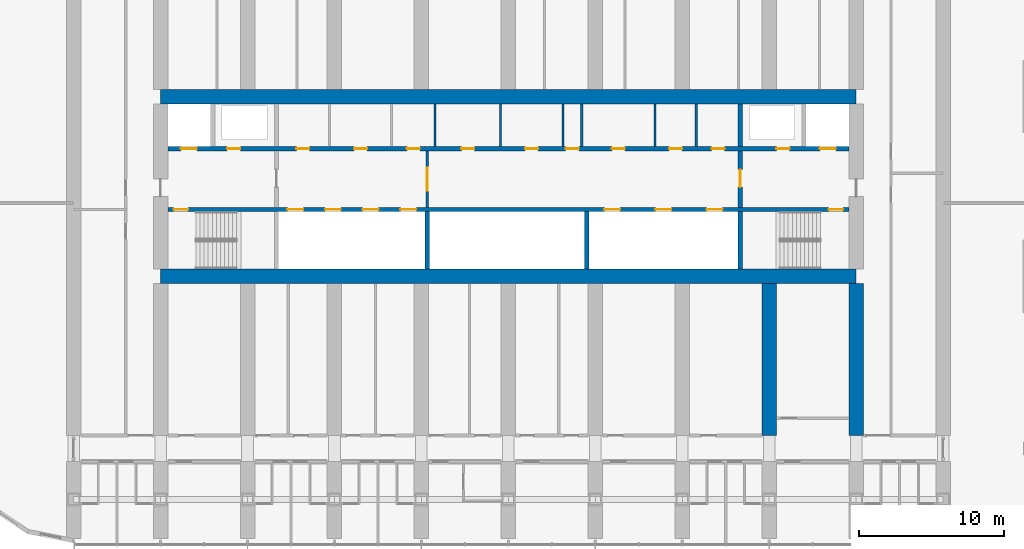
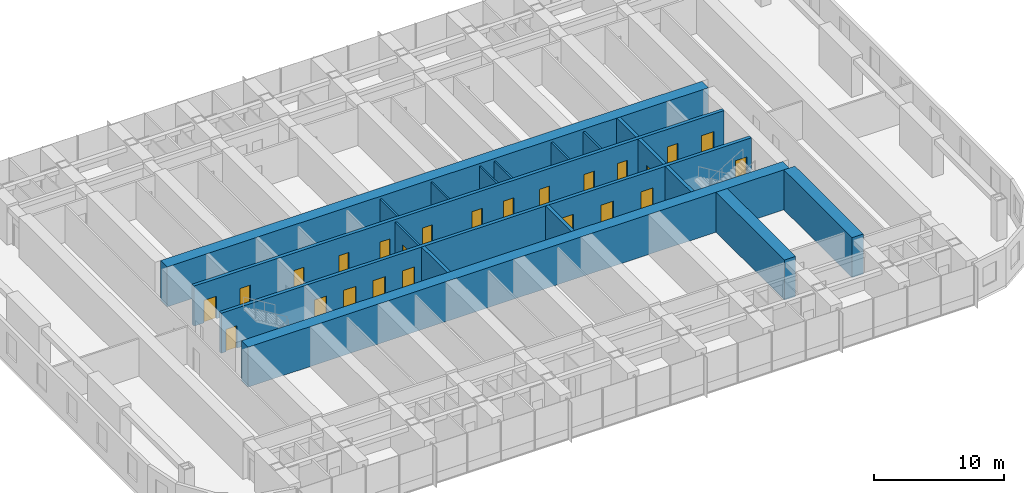
# One storey, part 13 of 23: 24 doors, 18 walls, 24 openings.
"""IFC4 building model written with IfcOpenShell, lengths in metres."""

import ifcopenshell
import ifcopenshell.guid

model = None  # the IFC model being written
_history = None  # IfcOwnerHistory: only IFC2X3 demands one
_inside = {}  # id of a spatial element -> (the spatial element, [elements in it])
_under = {}  # id of a project, library or spatial element -> (it, [spatial elements below it])
_declared = {}  # id of a project -> (the project, [libraries it declares])
_typed = {}  # id of a type object -> (the type object, [elements of that type])
_made_of = {}  # id of a material, layer set ... -> (it, [elements and type objects made of it])


def new_model(schema):
    """Start an empty IFC model of exactly this schema.

    Asked for "IFC4X3", IfcOpenShell would pick the latest addendum, in which some entities
    have other attributes; the version numbers below select the first issue.
    IFC2X3 requires an IfcOwnerHistory on every rooted entity: one is made here for all.
    """
    global model, _history
    if schema == "IFC4X3":
        model = ifcopenshell.file(schema_version=(4, 3, 0, 0))
    else:
        model = ifcopenshell.file(schema=schema)
    _inside.clear()
    _under.clear()
    _declared.clear()
    _typed.clear()
    _made_of.clear()
    _history = None
    if model.schema == "IFC2X3":
        org = make("IfcOrganization", Name="unknown")
        user = make(
            "IfcPersonAndOrganization",
            ThePerson=make("IfcPerson", FamilyName="unknown"),
            TheOrganization=org,
        )
        app = make(
            "IfcApplication",
            ApplicationDeveloper=org,
            Version="unknown",
            ApplicationFullName="unknown",
            ApplicationIdentifier="unknown",
        )
        _history = make(
            "IfcOwnerHistory",
            OwningUser=user,
            OwningApplication=app,
            ChangeAction="ADDED",
            CreationDate=0,
        )
    return model


def make(cls, **values):
    """One entity of the class cls with the attributes given. An attribute that is None is left unset."""
    return model.create_entity(
        cls, **{name: value for name, value in values.items() if value is not None}
    )


def rooted(cls, **values):
    """An entity with a GlobalId (a new one), such as an element, a storey or a relation."""
    return make(cls, GlobalId=ifcopenshell.guid.new(), OwnerHistory=_history, **values)


def si_unit(unit_type, name, prefix=None):
    """IfcSIUnit, for example si_unit("LENGTHUNIT", "METRE", prefix="MILLI")."""
    return make("IfcSIUnit", UnitType=unit_type, Prefix=prefix, Name=name)


def assignment(units):
    """IfcUnitAssignment: the units of a project."""
    return None if units is None else make("IfcUnitAssignment", Units=units)


def point(xyz):
    """IfcCartesianPoint."""
    return None if xyz is None else make("IfcCartesianPoint", Coordinates=xyz)


def direction(xyz):
    """IfcDirection."""
    return None if xyz is None else make("IfcDirection", DirectionRatios=xyz)


def frame(location, z_axis=None, x_axis=None):
    """IfcAxis2Placement3D, a coordinate frame: its origin and axes. An axis left out is left unset."""
    return make(
        "IfcAxis2Placement3D",
        Location=point(location),
        Axis=direction(z_axis),
        RefDirection=direction(x_axis),
    )


def frame_2d(location, x_axis=None):
    """IfcAxis2Placement2D, a coordinate frame in the plane: its origin and x axis."""
    return make(
        "IfcAxis2Placement2D", Location=point(location), RefDirection=direction(x_axis)
    )


def origin():
    """The frame at (0, 0, 0) with its axes left unset."""
    return frame((0.0, 0.0, 0.0))


def place(relative_to, where):
    """IfcLocalPlacement: puts the frame where relative to a parent placement (None: the world)."""
    return make(
        "IfcLocalPlacement", PlacementRelTo=relative_to, RelativePlacement=where
    )


def context(
    kind, dimensions, precision=None, world=None, true_north=None, identifier=None
):
    """IfcGeometricRepresentationContext, for example the 3D "Model" context."""
    return make(
        "IfcGeometricRepresentationContext",
        ContextIdentifier=identifier,
        ContextType=kind,
        CoordinateSpaceDimension=dimensions,
        Precision=precision,
        WorldCoordinateSystem=world,
        TrueNorth=true_north,
    )


def subcontext(parent, identifier, kind, view, scale=None):
    """IfcGeometricRepresentationSubContext, for example "Body" below "Model"."""
    return make(
        "IfcGeometricRepresentationSubContext",
        ContextIdentifier=identifier,
        ContextType=kind,
        ParentContext=parent,
        TargetScale=scale,
        TargetView=view,
    )


def project(units=None, contexts=None):
    """IfcProject with its units and contexts."""
    return rooted(
        "IfcProject",
        Name="project",
        RepresentationContexts=contexts,
        UnitsInContext=assignment(units),
    )


def spatial(cls, under=None, at=None, **own):
    """A site, building, storey or space (cls), placed at a placement, below another one or the project."""
    s = rooted(cls, ObjectPlacement=at, **own)
    if under is not None:
        _under.setdefault(under.id(), (under, []))[1].append(s)
    return s


def profile(cls, at=None, kind="AREA", **sizes):
    """A parametric profile (cls). Its sizes go by their IFC names, for example OverallWidth=200.0."""
    return make(cls, ProfileType=kind, Position=at, **sizes)


def rectangle(**sizes):
    """IfcRectangleProfileDef."""
    return profile("IfcRectangleProfileDef", **sizes)


def extrude(swept, where, along, depth):
    """IfcExtrudedAreaSolid: the profile swept, set in the frame where, extruded along a direction by depth."""
    return make(
        "IfcExtrudedAreaSolid",
        SweptArea=swept,
        Position=where,
        ExtrudedDirection=direction(along),
        Depth=depth,
    )


def shape(context_of_items, identifier, shape_type, items):
    """IfcShapeRepresentation: the items that make up one representation, for example the "Body"."""
    return make(
        "IfcShapeRepresentation",
        ContextOfItems=context_of_items,
        RepresentationIdentifier=identifier,
        RepresentationType=shape_type,
        Items=items,
    )


def material(Name=None, Category=None):
    """IfcMaterial."""
    return make("IfcMaterial", Name=Name, Category=Category)


def layer(
    of_material, thickness, ventilated=None, Name=None, Category=None, Priority=None
):
    """IfcMaterialLayer: one layer of a wall or slab, of a material (None: an air gap)."""
    return make(
        "IfcMaterialLayer",
        Material=of_material,
        LayerThickness=thickness,
        IsVentilated=ventilated,
        Name=Name,
        Category=Category,
        Priority=Priority,
    )


def layer_set(layers, Name=None):
    """IfcMaterialLayerSet."""
    return make("IfcMaterialLayerSet", MaterialLayers=layers, LayerSetName=Name)


def made_of(thing, what):
    """Note that an element or type object is made of a material, layer set ...; save() writes the relation."""
    if what is not None:
        _made_of.setdefault(what.id(), (what, []))[1].append(thing)
    return thing


def type_object(cls, material=None, **own):
    """A type object (cls), such as IfcWallType, which elements share."""
    return made_of(rooted(cls, **own), material)


def element(
    cls,
    number,
    at=None,
    inside=None,
    cuts=None,
    type_object=None,
    material=None,
    context=None,
    identifier="Body",
    shape_type=None,
    held_by="IfcProductDefinitionShape",
    body=None,
    shapes=None,
    **own,
):
    """One element of the class cls, such as IfcWall. Its Tag is "e" and its number.

    at: its placement. inside: the storey or other place that contains it. cuts: it is an
    opening in that element (IfcRelVoidsElement). A single representation is given by context,
    identifier, shape_type and body (its items); several are given by shapes. held_by: the class
    of the entity that holds the representations. save() writes the other relations.
    """
    e = rooted(cls, Tag="e%d" % number, ObjectPlacement=at, **own)
    if body is not None:
        shapes = [shape(context, identifier, shape_type, body)]
    if shapes is not None:
        e.Representation = make(held_by, Representations=shapes)
    if inside is not None:
        _inside.setdefault(inside.id(), (inside, []))[1].append(e)
    if cuts is not None:
        rooted(
            "IfcRelVoidsElement", RelatingBuildingElement=cuts, RelatedOpeningElement=e
        )
    if type_object is not None:
        _typed.setdefault(type_object.id(), (type_object, []))[1].append(e)
    return made_of(e, material)


def fill(opening, filler):
    """IfcRelFillsElement: the door or window that sits in an opening."""
    return rooted(
        "IfcRelFillsElement",
        RelatingOpeningElement=opening,
        RelatedBuildingElement=filler,
    )


def aggregate(whole, parts):
    """IfcRelAggregates: a whole, such as a stair, and the parts it consists of."""
    return rooted("IfcRelAggregates", RelatingObject=whole, RelatedObjects=parts)


def save(model, path):
    """Write the relations noted so far, then the file.

    IfcRelAggregates (storeys below a building ...), IfcRelContainedInSpatialStructure (elements
    in a storey), IfcRelDefinesByType, IfcRelAssociatesMaterial and IfcRelDeclares: one each for
    every whole, place, type object, material and project.
    """
    for whole, parts in _under.values():
        aggregate(whole, parts)
    for where, things in _inside.values():
        rooted(
            "IfcRelContainedInSpatialStructure",
            RelatedElements=things,
            RelatingStructure=where,
        )
    for kind, things in _typed.values():
        rooted("IfcRelDefinesByType", RelatedObjects=things, RelatingType=kind)
    for what, things in _made_of.values():
        rooted("IfcRelAssociatesMaterial", RelatedObjects=things, RelatingMaterial=what)
    for by, libraries in _declared.values():
        rooted("IfcRelDeclares", RelatingContext=by, RelatedDefinitions=libraries)
    model.write(path)


model = new_model("IFC4")

# Units and contexts
model_context = context("Model", 3, precision=1e-05, world=origin(), true_north=direction((0.0, 1.0)))
body_context = subcontext(model_context, "Body", "Model", "MODEL_VIEW")
ifc_project = project(units=[si_unit("LENGTHUNIT", "METRE"), si_unit("AREAUNIT", "SQUARE_METRE"), si_unit("VOLUMEUNIT", "CUBIC_METRE"), si_unit("PLANEANGLEUNIT", "RADIAN"), si_unit("MASSUNIT", "GRAM", prefix="KILO")], contexts=[model_context])

# Site, building, storey
site_placement = place(None, origin())
site = spatial("IfcSite", under=ifc_project, at=site_placement, CompositionType="ELEMENT")
building_placement = place(site_placement, origin())
building = spatial("IfcBuilding", under=site, at=building_placement, Name="Orbita Commons", CompositionType="ELEMENT")
storey_placement = place(building_placement, frame((0.0, 0.0, 46.449951171875)))
storey = spatial("IfcBuildingStorey", under=building, at=storey_placement, Name="L11", CompositionType="ELEMENT", Elevation=46.449951171875)

# Wall, openings, doors
ifc_material_1 = material(Name="Concrete C50/60", Category="concrete")
ifc_layer_1 = layer(ifc_material_1, 0.300048828125)
ifc_layer_set_1 = layer_set([ifc_layer_1], Name="Concrete C50/60")
wall_type_1 = type_object("IfcWallType", Name="Core inner wall 300 C50/60", PredefinedType="SHEAR", material=ifc_layer_set_1)
wall_1_placement = place(storey_placement, frame((18.5, 30.39990234375, 0.0), z_axis=(0.0, 0.0, 1.0), x_axis=(1.0, 0.0, 0.0)))
wall_1 = element("IfcWall", 1, at=wall_1_placement, inside=storey, type_object=wall_type_1, Name="Lobby wall south L11", PredefinedType="SHEAR", context=body_context, shape_type="SweptSolid", body=[
    extrude(rectangle(XDim=47.0, YDim=0.300048828125, at=frame_2d((23.5, 0.0))), origin(), (0.0, 0.0, 1.0), 3.75),
])
opening_1_placement = place(wall_1_placement, frame((0.39990234375, 0.0, 0.0)))
opening_1 = element("IfcOpeningElement", 2, at=opening_1_placement, cuts=wall_1, Name="Opening D02", PredefinedType="OPENING", context=body_context, shape_type="SweptSolid", body=[
    extrude(rectangle(XDim=1.0, YDim=2.10009765625, at=frame_2d((0.5, 1.050048828125))), frame((0.0, 0.159912109375, 0.0), z_axis=(0.0, -1.0, 0.0), x_axis=(1.0, 0.0, 0.0)), (0.0, 0.0, 1.0), 0.320068359375),
])
opening_2_placement = place(wall_1_placement, frame((45.60009765625, 0.0, 0.0)))
opening_2 = element("IfcOpeningElement", 3, at=opening_2_placement, cuts=wall_1, Name="Opening D02", PredefinedType="OPENING", context=body_context, shape_type="SweptSolid", body=[
    extrude(rectangle(XDim=1.0, YDim=2.10009765625, at=frame_2d((0.5, 1.050048828125))), frame((0.0, 0.159912109375, 0.0), z_axis=(0.0, -1.0, 0.0), x_axis=(1.0, 0.0, 0.0)), (0.0, 0.0, 1.0), 0.320068359375),
])
opening_3_placement = place(wall_1_placement, frame((8.25, 0.0, 0.0)))
opening_3 = element("IfcOpeningElement", 4, at=opening_3_placement, cuts=wall_1, Name="Opening LD02", PredefinedType="OPENING", context=body_context, shape_type="SweptSolid", body=[
    extrude(rectangle(XDim=1.10009765625, YDim=2.10009765625, at=frame_2d((0.550048828125, 1.050048828125))), frame((0.0, 0.159912109375, 0.0), z_axis=(0.0, -1.0, 0.0), x_axis=(1.0, 0.0, 0.0)), (0.0, 0.0, 1.0), 0.320068359375),
])
opening_4_placement = place(wall_1_placement, frame((10.85009765625, 0.0, 0.0)))
opening_4 = element("IfcOpeningElement", 5, at=opening_4_placement, cuts=wall_1, Name="Opening LD02", PredefinedType="OPENING", context=body_context, shape_type="SweptSolid", body=[
    extrude(rectangle(XDim=1.10009765625, YDim=2.10009765625, at=frame_2d((0.550048828125, 1.050048828125))), frame((0.0, 0.159912109375, 0.0), z_axis=(0.0, -1.0, 0.0), x_axis=(1.0, 0.0, 0.0)), (0.0, 0.0, 1.0), 0.320068359375),
])
opening_5_placement = place(wall_1_placement, frame((13.449951171875, 0.0, 0.0)))
opening_5 = element("IfcOpeningElement", 6, at=opening_5_placement, cuts=wall_1, Name="Opening LD02", PredefinedType="OPENING", context=body_context, shape_type="SweptSolid", body=[
    extrude(rectangle(XDim=1.10009765625, YDim=2.10009765625, at=frame_2d((0.550048828125, 1.050048828125))), frame((0.0, 0.159912109375, 0.0), z_axis=(0.0, -1.0, 0.0), x_axis=(1.0, 0.0, 0.0)), (0.0, 0.0, 1.0), 0.320068359375),
])
opening_6_placement = place(wall_1_placement, frame((16.050048828125, 0.0, 0.0)))
opening_6 = element("IfcOpeningElement", 7, at=opening_6_placement, cuts=wall_1, Name="Opening LD02", PredefinedType="OPENING", context=body_context, shape_type="SweptSolid", body=[
    extrude(rectangle(XDim=1.10009765625, YDim=2.10009765625, at=frame_2d((0.550048828125, 1.050048828125))), frame((0.0, 0.159912109375, 0.0), z_axis=(0.0, -1.0, 0.0), x_axis=(1.0, 0.0, 0.0)), (0.0, 0.0, 1.0), 0.320068359375),
])
opening_7_placement = place(wall_1_placement, frame((30.11669921875, 0.0, 0.0)))
opening_7 = element("IfcOpeningElement", 8, at=opening_7_placement, cuts=wall_1, Name="Opening LD02", PredefinedType="OPENING", context=body_context, shape_type="SweptSolid", body=[
    extrude(rectangle(XDim=1.10009765625, YDim=2.10009765625, at=frame_2d((0.550048828125, 1.050048828125))), frame((0.0, 0.159912109375, 0.0), z_axis=(0.0, -1.0, 0.0), x_axis=(1.0, 0.0, 0.0)), (0.0, 0.0, 1.0), 0.320068359375),
])
opening_8_placement = place(wall_1_placement, frame((33.64990234375, 0.0, 0.0)))
opening_8 = element("IfcOpeningElement", 9, at=opening_8_placement, cuts=wall_1, Name="Opening LD02", PredefinedType="OPENING", context=body_context, shape_type="SweptSolid", body=[
    extrude(rectangle(XDim=1.10009765625, YDim=2.10009765625, at=frame_2d((0.550048828125, 1.050048828125))), frame((0.0, 0.159912109375, 0.0), z_axis=(0.0, -1.0, 0.0), x_axis=(1.0, 0.0, 0.0)), (0.0, 0.0, 1.0), 0.320068359375),
])
opening_9_placement = place(wall_1_placement, frame((37.183349609375, 0.0, 0.0)))
opening_9 = element("IfcOpeningElement", 10, at=opening_9_placement, cuts=wall_1, Name="Opening LD02", PredefinedType="OPENING", context=body_context, shape_type="SweptSolid", body=[
    extrude(rectangle(XDim=1.10009765625, YDim=2.10009765625, at=frame_2d((0.550048828125, 1.050048828125))), frame((0.0, 0.159912109375, 0.0), z_axis=(0.0, -1.0, 0.0), x_axis=(1.0, 0.0, 0.0)), (0.0, 0.0, 1.0), 0.320068359375),
])
ifc_material_2 = material(Name="Steel-faced fire door leaf", Category="steel")
door_type_1 = type_object("IfcDoorType", Name="Fire door 90 min 1000x2100", OperationType="SINGLE_SWING_LEFT", PredefinedType="DOOR", material=ifc_material_2)
door_1_placement = place(opening_1_placement, origin())
door_1 = element("IfcDoor", 11, at=door_1_placement, inside=storey, type_object=door_type_1, Name="Stair S1 door", OperationType="SINGLE_SWING_LEFT", OverallHeight=2.10009765625, OverallWidth=1.0, PredefinedType="DOOR", context=body_context, shape_type="SweptSolid", body=[
    extrude(rectangle(XDim=1.0, YDim=2.10009765625, at=frame_2d((0.5, 1.050048828125))), frame((0.0, 0.02490234375, 0.0), z_axis=(0.0, -1.0, 0.0), x_axis=(1.0, 0.0, 0.0)), (0.0, 0.0, 1.0), 0.050048828125),
])
fill(opening_1, door_1)
door_2_placement = place(opening_2_placement, origin())
door_2 = element("IfcDoor", 12, at=door_2_placement, inside=storey, type_object=door_type_1, Name="Stair S2 door", OperationType="SINGLE_SWING_LEFT", OverallHeight=2.10009765625, OverallWidth=1.0, PredefinedType="DOOR", context=body_context, shape_type="SweptSolid", body=[
    extrude(rectangle(XDim=1.0, YDim=2.10009765625, at=frame_2d((0.5, 1.050048828125))), frame((0.0, 0.02490234375, 0.0), z_axis=(0.0, -1.0, 0.0), x_axis=(1.0, 0.0, 0.0)), (0.0, 0.0, 1.0), 0.050048828125),
])
fill(opening_2, door_2)
ifc_material_3 = material(Name="Steel-faced fire door leaf", Category="steel")
door_type_2 = type_object("IfcDoorType", Name="Lift landing door 1100x2100", OperationType="DOUBLE_DOOR_SLIDING", PredefinedType="DOOR", material=ifc_material_3)
door_3_placement = place(opening_3_placement, origin())
door_3 = element("IfcDoor", 13, at=door_3_placement, inside=storey, type_object=door_type_2, Name="Lift P11 landing door", OperationType="DOUBLE_DOOR_SLIDING", OverallHeight=2.10009765625, OverallWidth=1.10009765625, PredefinedType="DOOR", context=body_context, shape_type="SweptSolid", body=[
    extrude(rectangle(XDim=1.10009765625, YDim=2.10009765625, at=frame_2d((0.550048828125, 1.050048828125))), frame((0.0, 0.02490234375, 0.0), z_axis=(0.0, -1.0, 0.0), x_axis=(1.0, 0.0, 0.0)), (0.0, 0.0, 1.0), 0.050048828125),
])
fill(opening_3, door_3)
door_4_placement = place(opening_4_placement, origin())
door_4 = element("IfcDoor", 14, at=door_4_placement, inside=storey, type_object=door_type_2, Name="Lift P12 landing door", OperationType="DOUBLE_DOOR_SLIDING", OverallHeight=2.10009765625, OverallWidth=1.10009765625, PredefinedType="DOOR", context=body_context, shape_type="SweptSolid", body=[
    extrude(rectangle(XDim=1.10009765625, YDim=2.10009765625, at=frame_2d((0.550048828125, 1.050048828125))), frame((0.0, 0.02490234375, 0.0), z_axis=(0.0, -1.0, 0.0), x_axis=(1.0, 0.0, 0.0)), (0.0, 0.0, 1.0), 0.050048828125),
])
fill(opening_4, door_4)
door_5_placement = place(opening_5_placement, origin())
door_5 = element("IfcDoor", 15, at=door_5_placement, inside=storey, type_object=door_type_2, Name="Lift P13 landing door", OperationType="DOUBLE_DOOR_SLIDING", OverallHeight=2.10009765625, OverallWidth=1.10009765625, PredefinedType="DOOR", context=body_context, shape_type="SweptSolid", body=[
    extrude(rectangle(XDim=1.10009765625, YDim=2.10009765625, at=frame_2d((0.550048828125, 1.050048828125))), frame((0.0, 0.02490234375, 0.0), z_axis=(0.0, -1.0, 0.0), x_axis=(1.0, 0.0, 0.0)), (0.0, 0.0, 1.0), 0.050048828125),
])
fill(opening_5, door_5)
door_6_placement = place(opening_6_placement, origin())
door_6 = element("IfcDoor", 16, at=door_6_placement, inside=storey, type_object=door_type_2, Name="Lift P14 landing door", OperationType="DOUBLE_DOOR_SLIDING", OverallHeight=2.10009765625, OverallWidth=1.10009765625, PredefinedType="DOOR", context=body_context, shape_type="SweptSolid", body=[
    extrude(rectangle(XDim=1.10009765625, YDim=2.10009765625, at=frame_2d((0.550048828125, 1.050048828125))), frame((0.0, 0.02490234375, 0.0), z_axis=(0.0, -1.0, 0.0), x_axis=(1.0, 0.0, 0.0)), (0.0, 0.0, 1.0), 0.050048828125),
])
fill(opening_6, door_6)
door_7_placement = place(opening_7_placement, origin())
door_7 = element("IfcDoor", 17, at=door_7_placement, inside=storey, type_object=door_type_2, Name="Lift SV1 landing door", OperationType="DOUBLE_DOOR_SLIDING", OverallHeight=2.10009765625, OverallWidth=1.10009765625, PredefinedType="DOOR", context=body_context, shape_type="SweptSolid", body=[
    extrude(rectangle(XDim=1.10009765625, YDim=2.10009765625, at=frame_2d((0.550048828125, 1.050048828125))), frame((0.0, 0.02490234375, 0.0), z_axis=(0.0, -1.0, 0.0), x_axis=(1.0, 0.0, 0.0)), (0.0, 0.0, 1.0), 0.050048828125),
])
fill(opening_7, door_7)
door_8_placement = place(opening_8_placement, origin())
door_8 = element("IfcDoor", 18, at=door_8_placement, inside=storey, type_object=door_type_2, Name="Lift SV2 landing door", OperationType="DOUBLE_DOOR_SLIDING", OverallHeight=2.10009765625, OverallWidth=1.10009765625, PredefinedType="DOOR", context=body_context, shape_type="SweptSolid", body=[
    extrude(rectangle(XDim=1.10009765625, YDim=2.10009765625, at=frame_2d((0.550048828125, 1.050048828125))), frame((0.0, 0.02490234375, 0.0), z_axis=(0.0, -1.0, 0.0), x_axis=(1.0, 0.0, 0.0)), (0.0, 0.0, 1.0), 0.050048828125),
])
fill(opening_8, door_8)
door_9_placement = place(opening_9_placement, origin())
door_9 = element("IfcDoor", 19, at=door_9_placement, inside=storey, type_object=door_type_2, Name="Lift SV3 landing door", OperationType="DOUBLE_DOOR_SLIDING", OverallHeight=2.10009765625, OverallWidth=1.10009765625, PredefinedType="DOOR", context=body_context, shape_type="SweptSolid", body=[
    extrude(rectangle(XDim=1.10009765625, YDim=2.10009765625, at=frame_2d((0.550048828125, 1.050048828125))), frame((0.0, 0.02490234375, 0.0), z_axis=(0.0, -1.0, 0.0), x_axis=(1.0, 0.0, 0.0)), (0.0, 0.0, 1.0), 0.050048828125),
])
fill(opening_9, door_9)

wall_2_placement = place(storey_placement, frame((18.5, 34.60009765625, 0.0), z_axis=(0.0, 0.0, 1.0), x_axis=(1.0, 0.0, 0.0)))
wall_2 = element("IfcWall", 20, at=wall_2_placement, inside=storey, type_object=wall_type_1, Name="Lobby wall north L11", PredefinedType="SHEAR", context=body_context, shape_type="SweptSolid", body=[
    extrude(rectangle(XDim=47.0, YDim=0.300048828125, at=frame_2d((23.5, 0.0))), origin(), (0.0, 0.0, 1.0), 3.75),
])
opening_10_placement = place(wall_2_placement, frame((0.89990234375, 0.0, 0.0)))
opening_10 = element("IfcOpeningElement", 21, at=opening_10_placement, cuts=wall_2, Name="Opening LD01", PredefinedType="OPENING", context=body_context, shape_type="SweptSolid", body=[
    extrude(rectangle(XDim=1.10009765625, YDim=2.10009765625, at=frame_2d((0.550048828125, 1.050048828125))), frame((0.0, 0.159912109375, 0.0), z_axis=(0.0, -1.0, 0.0), x_axis=(1.0, 0.0, 0.0)), (0.0, 0.0, 1.0), 0.320068359375),
])
opening_11_placement = place(wall_2_placement, frame((45.0, 0.0, 0.0)))
opening_11 = element("IfcOpeningElement", 22, at=opening_11_placement, cuts=wall_2, Name="Opening LD01", PredefinedType="OPENING", context=body_context, shape_type="SweptSolid", body=[
    extrude(rectangle(XDim=1.10009765625, YDim=2.10009765625, at=frame_2d((0.550048828125, 1.050048828125))), frame((0.0, 0.159912109375, 0.0), z_axis=(0.0, -1.0, 0.0), x_axis=(1.0, 0.0, 0.0)), (0.0, 0.0, 1.0), 0.320068359375),
])
opening_12_placement = place(wall_2_placement, frame((4.10009765625, 0.0, 0.0)))
opening_12 = element("IfcOpeningElement", 23, at=opening_12_placement, cuts=wall_2, Name="Opening D03", PredefinedType="OPENING", context=body_context, shape_type="SweptSolid", body=[
    extrude(rectangle(XDim=0.89990234375, YDim=2.10009765625, at=frame_2d((0.449951171875, 1.050048828125))), frame((0.0, 0.159912109375, 0.0), z_axis=(0.0, -1.0, 0.0), x_axis=(1.0, 0.0, 0.0)), (0.0, 0.0, 1.0), 0.320068359375),
])
opening_13_placement = place(wall_2_placement, frame((42.0, 0.0, 0.0)))
opening_13 = element("IfcOpeningElement", 24, at=opening_13_placement, cuts=wall_2, Name="Opening D03", PredefinedType="OPENING", context=body_context, shape_type="SweptSolid", body=[
    extrude(rectangle(XDim=0.89990234375, YDim=2.10009765625, at=frame_2d((0.449951171875, 1.050048828125))), frame((0.0, 0.159912109375, 0.0), z_axis=(0.0, -1.0, 0.0), x_axis=(1.0, 0.0, 0.0)), (0.0, 0.0, 1.0), 0.320068359375),
])
opening_14_placement = place(wall_2_placement, frame((8.87548828125, 0.0, 0.0)))
opening_14 = element("IfcOpeningElement", 25, at=opening_14_placement, cuts=wall_2, Name="Opening D05", PredefinedType="OPENING", context=body_context, shape_type="SweptSolid", body=[
    extrude(rectangle(XDim=0.89990234375, YDim=2.10009765625, at=frame_2d((0.449951171875, 1.050048828125))), frame((0.0, 0.159912109375, 0.0), z_axis=(0.0, -1.0, 0.0), x_axis=(1.0, 0.0, 0.0)), (0.0, 0.0, 1.0), 0.320068359375),
])
opening_15_placement = place(wall_2_placement, frame((12.8486328125, 0.0, 0.0)))
opening_15 = element("IfcOpeningElement", 26, at=opening_15_placement, cuts=wall_2, Name="Opening D03", PredefinedType="OPENING", context=body_context, shape_type="SweptSolid", body=[
    extrude(rectangle(XDim=0.89990234375, YDim=2.10009765625, at=frame_2d((0.449951171875, 1.050048828125))), frame((0.0, 0.159912109375, 0.0), z_axis=(0.0, -1.0, 0.0), x_axis=(1.0, 0.0, 0.0)), (0.0, 0.0, 1.0), 0.320068359375),
])
opening_16_placement = place(wall_2_placement, frame((16.496337890625, 0.0, 0.0)))
opening_16 = element("IfcOpeningElement", 27, at=opening_16_placement, cuts=wall_2, Name="Opening D03", PredefinedType="OPENING", context=body_context, shape_type="SweptSolid", body=[
    extrude(rectangle(XDim=0.89990234375, YDim=2.10009765625, at=frame_2d((0.449951171875, 1.050048828125))), frame((0.0, 0.159912109375, 0.0), z_axis=(0.0, -1.0, 0.0), x_axis=(1.0, 0.0, 0.0)), (0.0, 0.0, 1.0), 0.320068359375),
])
opening_17_placement = place(wall_2_placement, frame((20.254638671875, 0.0, 0.0)))
opening_17 = element("IfcOpeningElement", 28, at=opening_17_placement, cuts=wall_2, Name="Opening D03", PredefinedType="OPENING", context=body_context, shape_type="SweptSolid", body=[
    extrude(rectangle(XDim=0.89990234375, YDim=2.10009765625, at=frame_2d((0.449951171875, 1.050048828125))), frame((0.0, 0.159912109375, 0.0), z_axis=(0.0, -1.0, 0.0), x_axis=(1.0, 0.0, 0.0)), (0.0, 0.0, 1.0), 0.320068359375),
])
opening_18_placement = place(wall_2_placement, frame((24.66064453125, 0.0, 0.0)))
opening_18 = element("IfcOpeningElement", 29, at=opening_18_placement, cuts=wall_2, Name="Opening D03", PredefinedType="OPENING", context=body_context, shape_type="SweptSolid", body=[
    extrude(rectangle(XDim=0.89990234375, YDim=2.10009765625, at=frame_2d((0.449951171875, 1.050048828125))), frame((0.0, 0.159912109375, 0.0), z_axis=(0.0, -1.0, 0.0), x_axis=(1.0, 0.0, 0.0)), (0.0, 0.0, 1.0), 0.320068359375),
])
opening_19_placement = place(wall_2_placement, frame((27.45849609375, 0.0, 0.0)))
opening_19 = element("IfcOpeningElement", 30, at=opening_19_placement, cuts=wall_2, Name="Opening D03", PredefinedType="OPENING", context=body_context, shape_type="SweptSolid", body=[
    extrude(rectangle(XDim=0.89990234375, YDim=2.10009765625, at=frame_2d((0.449951171875, 1.050048828125))), frame((0.0, 0.159912109375, 0.0), z_axis=(0.0, -1.0, 0.0), x_axis=(1.0, 0.0, 0.0)), (0.0, 0.0, 1.0), 0.320068359375),
])
opening_20_placement = place(wall_2_placement, frame((30.64111328125, 0.0, 0.0)))
opening_20 = element("IfcOpeningElement", 31, at=opening_20_placement, cuts=wall_2, Name="Opening D05", PredefinedType="OPENING", context=body_context, shape_type="SweptSolid", body=[
    extrude(rectangle(XDim=0.89990234375, YDim=2.10009765625, at=frame_2d((0.449951171875, 1.050048828125))), frame((0.0, 0.159912109375, 0.0), z_axis=(0.0, -1.0, 0.0), x_axis=(1.0, 0.0, 0.0)), (0.0, 0.0, 1.0), 0.320068359375),
])
opening_21_placement = place(wall_2_placement, frame((34.59228515625, 0.0, 0.0)))
opening_21 = element("IfcOpeningElement", 32, at=opening_21_placement, cuts=wall_2, Name="Opening D03", PredefinedType="OPENING", context=body_context, shape_type="SweptSolid", body=[
    extrude(rectangle(XDim=0.89990234375, YDim=2.10009765625, at=frame_2d((0.449951171875, 1.050048828125))), frame((0.0, 0.159912109375, 0.0), z_axis=(0.0, -1.0, 0.0), x_axis=(1.0, 0.0, 0.0)), (0.0, 0.0, 1.0), 0.320068359375),
])
opening_22_placement = place(wall_2_placement, frame((37.5302734375, 0.0, 0.0)))
opening_22 = element("IfcOpeningElement", 33, at=opening_22_placement, cuts=wall_2, Name="Opening D03", PredefinedType="OPENING", context=body_context, shape_type="SweptSolid", body=[
    extrude(rectangle(XDim=0.89990234375, YDim=2.10009765625, at=frame_2d((0.449951171875, 1.050048828125))), frame((0.0, 0.159912109375, 0.0), z_axis=(0.0, -1.0, 0.0), x_axis=(1.0, 0.0, 0.0)), (0.0, 0.0, 1.0), 0.320068359375),
])
ifc_material_4 = material(Name="Steel-faced fire door leaf", Category="steel")
door_type_3 = type_object("IfcDoorType", Name="Firefighting lift landing door 1100x2100", OperationType="DOUBLE_DOOR_SLIDING", PredefinedType="DOOR", material=ifc_material_4)
door_10_placement = place(opening_10_placement, origin())
door_10 = element("IfcDoor", 34, at=door_10_placement, inside=storey, type_object=door_type_3, Name="Firefighting lift FL1 landing door", OperationType="DOUBLE_DOOR_SLIDING", OverallHeight=2.10009765625, OverallWidth=1.10009765625, PredefinedType="DOOR", context=body_context, shape_type="SweptSolid", body=[
    extrude(rectangle(XDim=1.10009765625, YDim=2.10009765625, at=frame_2d((0.550048828125, 1.050048828125))), frame((0.0, 0.02490234375, 0.0), z_axis=(0.0, -1.0, 0.0), x_axis=(1.0, 0.0, 0.0)), (0.0, 0.0, 1.0), 0.050048828125),
])
fill(opening_10, door_10)
door_11_placement = place(opening_11_placement, origin())
door_11 = element("IfcDoor", 35, at=door_11_placement, inside=storey, type_object=door_type_3, Name="Firefighting lift FL2 landing door", OperationType="DOUBLE_DOOR_SLIDING", OverallHeight=2.10009765625, OverallWidth=1.10009765625, PredefinedType="DOOR", context=body_context, shape_type="SweptSolid", body=[
    extrude(rectangle(XDim=1.10009765625, YDim=2.10009765625, at=frame_2d((0.550048828125, 1.050048828125))), frame((0.0, 0.02490234375, 0.0), z_axis=(0.0, -1.0, 0.0), x_axis=(1.0, 0.0, 0.0)), (0.0, 0.0, 1.0), 0.050048828125),
])
fill(opening_11, door_11)
ifc_material_5 = material(Name="Steel-faced fire door leaf", Category="steel")
door_type_4 = type_object("IfcDoorType", Name="Service door 20 min 900x2100", OperationType="SINGLE_SWING_LEFT", PredefinedType="DOOR", material=ifc_material_5)
door_12_placement = place(opening_14_placement, origin())
door_12 = element("IfcDoor", 36, at=door_12_placement, inside=storey, type_object=door_type_4, Name="Accessible WC door", OperationType="SINGLE_SWING_LEFT", OverallHeight=2.10009765625, OverallWidth=0.89990234375, PredefinedType="DOOR", context=body_context, shape_type="SweptSolid", body=[
    extrude(rectangle(XDim=0.89990234375, YDim=2.10009765625, at=frame_2d((0.449951171875, 1.050048828125))), frame((0.0, 0.02490234375, 0.0), z_axis=(0.0, -1.0, 0.0), x_axis=(1.0, 0.0, 0.0)), (0.0, 0.0, 1.0), 0.050048828125),
])
fill(opening_14, door_12)
door_13_placement = place(opening_20_placement, origin())
door_13 = element("IfcDoor", 37, at=door_13_placement, inside=storey, type_object=door_type_4, Name="Guest pantry door", OperationType="SINGLE_SWING_LEFT", OverallHeight=2.10009765625, OverallWidth=0.89990234375, PredefinedType="DOOR", context=body_context, shape_type="SweptSolid", body=[
    extrude(rectangle(XDim=0.89990234375, YDim=2.10009765625, at=frame_2d((0.449951171875, 1.050048828125))), frame((0.0, 0.02490234375, 0.0), z_axis=(0.0, -1.0, 0.0), x_axis=(1.0, 0.0, 0.0)), (0.0, 0.0, 1.0), 0.050048828125),
])
fill(opening_20, door_13)
ifc_material_6 = material(Name="Steel-faced fire door leaf", Category="steel")
door_type_5 = type_object("IfcDoorType", Name="Shaft access door 90 min 900x2100", OperationType="SINGLE_SWING_LEFT", PredefinedType="DOOR", material=ifc_material_6)
door_14_placement = place(opening_12_placement, origin())
door_14 = element("IfcDoor", 38, at=door_14_placement, inside=storey, type_object=door_type_5, Name="Riser door west", OperationType="SINGLE_SWING_LEFT", OverallHeight=2.10009765625, OverallWidth=0.89990234375, PredefinedType="DOOR", context=body_context, shape_type="SweptSolid", body=[
    extrude(rectangle(XDim=0.89990234375, YDim=2.10009765625, at=frame_2d((0.449951171875, 1.050048828125))), frame((0.0, 0.02490234375, 0.0), z_axis=(0.0, -1.0, 0.0), x_axis=(1.0, 0.0, 0.0)), (0.0, 0.0, 1.0), 0.050048828125),
])
fill(opening_12, door_14)
door_15_placement = place(opening_13_placement, origin())
door_15 = element("IfcDoor", 39, at=door_15_placement, inside=storey, type_object=door_type_5, Name="Riser door east", OperationType="SINGLE_SWING_LEFT", OverallHeight=2.10009765625, OverallWidth=0.89990234375, PredefinedType="DOOR", context=body_context, shape_type="SweptSolid", body=[
    extrude(rectangle(XDim=0.89990234375, YDim=2.10009765625, at=frame_2d((0.449951171875, 1.050048828125))), frame((0.0, 0.02490234375, 0.0), z_axis=(0.0, -1.0, 0.0), x_axis=(1.0, 0.0, 0.0)), (0.0, 0.0, 1.0), 0.050048828125),
])
fill(opening_13, door_15)
door_16_placement = place(opening_15_placement, origin())
door_16 = element("IfcDoor", 40, at=door_16_placement, inside=storey, type_object=door_type_5, Name="Refuse chute room door", OperationType="SINGLE_SWING_LEFT", OverallHeight=2.10009765625, OverallWidth=0.89990234375, PredefinedType="DOOR", context=body_context, shape_type="SweptSolid", body=[
    extrude(rectangle(XDim=0.89990234375, YDim=2.10009765625, at=frame_2d((0.449951171875, 1.050048828125))), frame((0.0, 0.02490234375, 0.0), z_axis=(0.0, -1.0, 0.0), x_axis=(1.0, 0.0, 0.0)), (0.0, 0.0, 1.0), 0.050048828125),
])
fill(opening_15, door_16)
door_17_placement = place(opening_16_placement, origin())
door_17 = element("IfcDoor", 41, at=door_17_placement, inside=storey, type_object=door_type_5, Name="Electrical riser room door", OperationType="SINGLE_SWING_LEFT", OverallHeight=2.10009765625, OverallWidth=0.89990234375, PredefinedType="DOOR", context=body_context, shape_type="SweptSolid", body=[
    extrude(rectangle(XDim=0.89990234375, YDim=2.10009765625, at=frame_2d((0.449951171875, 1.050048828125))), frame((0.0, 0.02490234375, 0.0), z_axis=(0.0, -1.0, 0.0), x_axis=(1.0, 0.0, 0.0)), (0.0, 0.0, 1.0), 0.050048828125),
])
fill(opening_16, door_17)
door_18_placement = place(opening_17_placement, origin())
door_18 = element("IfcDoor", 42, at=door_18_placement, inside=storey, type_object=door_type_5, Name="IT room door", OperationType="SINGLE_SWING_LEFT", OverallHeight=2.10009765625, OverallWidth=0.89990234375, PredefinedType="DOOR", context=body_context, shape_type="SweptSolid", body=[
    extrude(rectangle(XDim=0.89990234375, YDim=2.10009765625, at=frame_2d((0.449951171875, 1.050048828125))), frame((0.0, 0.02490234375, 0.0), z_axis=(0.0, -1.0, 0.0), x_axis=(1.0, 0.0, 0.0)), (0.0, 0.0, 1.0), 0.050048828125),
])
fill(opening_17, door_18)
door_19_placement = place(opening_18_placement, origin())
door_19 = element("IfcDoor", 43, at=door_19_placement, inside=storey, type_object=door_type_5, Name="Communications room door", OperationType="SINGLE_SWING_LEFT", OverallHeight=2.10009765625, OverallWidth=0.89990234375, PredefinedType="DOOR", context=body_context, shape_type="SweptSolid", body=[
    extrude(rectangle(XDim=0.89990234375, YDim=2.10009765625, at=frame_2d((0.449951171875, 1.050048828125))), frame((0.0, 0.02490234375, 0.0), z_axis=(0.0, -1.0, 0.0), x_axis=(1.0, 0.0, 0.0)), (0.0, 0.0, 1.0), 0.050048828125),
])
fill(opening_18, door_19)
door_20_placement = place(opening_19_placement, origin())
door_20 = element("IfcDoor", 44, at=door_20_placement, inside=storey, type_object=door_type_5, Name="Stair pressurisation duct door", OperationType="SINGLE_SWING_LEFT", OverallHeight=2.10009765625, OverallWidth=0.89990234375, PredefinedType="DOOR", context=body_context, shape_type="SweptSolid", body=[
    extrude(rectangle(XDim=0.89990234375, YDim=2.10009765625, at=frame_2d((0.449951171875, 1.050048828125))), frame((0.0, 0.02490234375, 0.0), z_axis=(0.0, -1.0, 0.0), x_axis=(1.0, 0.0, 0.0)), (0.0, 0.0, 1.0), 0.050048828125),
])
fill(opening_19, door_20)
door_21_placement = place(opening_21_placement, origin())
door_21 = element("IfcDoor", 45, at=door_21_placement, inside=storey, type_object=door_type_5, Name="Linen store door", OperationType="SINGLE_SWING_LEFT", OverallHeight=2.10009765625, OverallWidth=0.89990234375, PredefinedType="DOOR", context=body_context, shape_type="SweptSolid", body=[
    extrude(rectangle(XDim=0.89990234375, YDim=2.10009765625, at=frame_2d((0.449951171875, 1.050048828125))), frame((0.0, 0.02490234375, 0.0), z_axis=(0.0, -1.0, 0.0), x_axis=(1.0, 0.0, 0.0)), (0.0, 0.0, 1.0), 0.050048828125),
])
fill(opening_21, door_21)
door_22_placement = place(opening_22_placement, origin())
door_22 = element("IfcDoor", 46, at=door_22_placement, inside=storey, type_object=door_type_5, Name="Cleaners store door", OperationType="SINGLE_SWING_LEFT", OverallHeight=2.10009765625, OverallWidth=0.89990234375, PredefinedType="DOOR", context=body_context, shape_type="SweptSolid", body=[
    extrude(rectangle(XDim=0.89990234375, YDim=2.10009765625, at=frame_2d((0.449951171875, 1.050048828125))), frame((0.0, 0.02490234375, 0.0), z_axis=(0.0, -1.0, 0.0), x_axis=(1.0, 0.0, 0.0)), (0.0, 0.0, 1.0), 0.050048828125),
])
fill(opening_22, door_22)

# Wall
wall_3_placement = place(storey_placement, frame((58.0, 26.300048828125, 0.0), z_axis=(0.0, 0.0, 1.0), x_axis=(0.0, 1.0, 0.0)))
element("IfcWall", 47, at=wall_3_placement, inside=storey, type_object=wall_type_1, Name="Stair S2 wall L11", PredefinedType="SHEAR", context=body_context, shape_type="SweptSolid", body=[
    extrude(rectangle(XDim=3.949951171875, YDim=0.300048828125, at=frame_2d((1.97509765625, 0.0))), origin(), (0.0, 0.0, 1.0), 3.75),
])

# Wall, opening, door
wall_4_placement = place(storey_placement, frame((58.0, 30.550048828125, 0.0), z_axis=(0.0, 0.0, 1.0), x_axis=(0.0, 1.0, 0.0)))
wall_4 = element("IfcWall", 48, at=wall_4_placement, inside=storey, type_object=wall_type_1, Name="Firefighting lobby wall east L11", PredefinedType="SHEAR", context=body_context, shape_type="SweptSolid", body=[
    extrude(rectangle(XDim=3.89990234375, YDim=0.300048828125, at=frame_2d((1.949951171875, 0.0))), origin(), (0.0, 0.0, 1.0), 3.75),
])
opening_23_placement = place(wall_4_placement, frame((1.39990234375, 0.0, 0.0)))
opening_23 = element("IfcOpeningElement", 49, at=opening_23_placement, cuts=wall_4, Name="Opening D04", PredefinedType="OPENING", context=body_context, shape_type="SweptSolid", body=[
    extrude(rectangle(XDim=1.199951171875, YDim=2.10009765625, at=frame_2d((0.60009765625, 1.050048828125))), frame((0.0, 0.159912109375, 0.0), z_axis=(0.0, -1.0, 0.0), x_axis=(1.0, 0.0, 0.0)), (0.0, 0.0, 1.0), 0.320068359375),
])
ifc_material_7 = material(Name="Steel-faced fire door leaf", Category="steel")
door_type_6 = type_object("IfcDoorType", Name="Service door 20 min 1200x2100", OperationType="SINGLE_SWING_LEFT", PredefinedType="DOOR", material=ifc_material_7)
door_23_placement = place(opening_23_placement, origin())
door_23 = element("IfcDoor", 50, at=door_23_placement, inside=storey, type_object=door_type_6, Name="Lift lobby door east", OperationType="SINGLE_SWING_LEFT", OverallHeight=2.10009765625, OverallWidth=1.199951171875, PredefinedType="DOOR", context=body_context, shape_type="SweptSolid", body=[
    extrude(rectangle(XDim=1.199951171875, YDim=2.10009765625, at=frame_2d((0.60009765625, 1.050048828125))), frame((0.0, 0.02490234375, 0.0), z_axis=(0.0, -1.0, 0.0), x_axis=(1.0, 0.0, 0.0)), (0.0, 0.0, 1.0), 0.050048828125),
])
fill(opening_23, door_23)

# Walls
wall_5_placement = place(storey_placement, frame((58.0, 34.75, 0.0), z_axis=(0.0, 0.0, 1.0), x_axis=(0.0, 1.0, 0.0)))
element("IfcWall", 51, at=wall_5_placement, inside=storey, type_object=wall_type_1, Name="Riser wall east L11", PredefinedType="SHEAR", context=body_context, shape_type="SweptSolid", body=[
    extrude(rectangle(XDim=2.949951171875, YDim=0.300048828125, at=frame_2d((1.47509765625, 0.0))), origin(), (0.0, 0.0, 1.0), 3.75),
])
for number, where, z_axis, x_axis, name in (
    (52, (36.39990234375, 26.300048828125, 0.0), (0.0, 0.0, 1.0), (0.0, 1.0, 0.0), "Hoistway division wall L11"),
    (53, (47.39990234375, 26.300048828125, 0.0), (0.0, 0.0, 1.0), (0.0, 1.0, 0.0), "Hoistway division wall L11"),
):
    element("IfcWall", number, at=place(storey_placement, frame(where, z_axis=z_axis, x_axis=x_axis)), inside=storey, type_object=wall_type_1, Name=name, PredefinedType="SHEAR", context=body_context, shape_type="SweptSolid", body=[
        extrude(rectangle(XDim=3.949951171875, YDim=0.300048828125, at=frame_2d((1.97509765625, 0.0))), origin(), (0.0, 0.0, 1.0), 3.75),
    ])

# Wall, opening, door
ifc_material_8 = material(Name="Concrete blockwork", Category="masonry")
ifc_layer_2 = layer(ifc_material_8, 0.14990234375)
ifc_layer_set_2 = layer_set([ifc_layer_2], Name="Concrete blockwork")
wall_type_2 = type_object("IfcWallType", Name="Core partition 150 blockwork", PredefinedType="SOLIDWALL", material=ifc_layer_set_2)
wall_6_placement = place(storey_placement, frame((36.39990234375, 30.550048828125, 0.0), z_axis=(0.0, 0.0, 1.0), x_axis=(0.0, 1.0, 0.0)))
wall_6 = element("IfcWall", 54, at=wall_6_placement, inside=storey, type_object=wall_type_2, Name="Core partition 150 blockwork L11", PredefinedType="SOLIDWALL", context=body_context, shape_type="SweptSolid", body=[
    extrude(rectangle(XDim=3.89990234375, YDim=0.14990234375, at=frame_2d((1.949951171875, 0.0))), origin(), (0.0, 0.0, 1.0), 3.5),
])
opening_24_placement = place(wall_6_placement, frame((1.14990234375, 0.0, 0.0)))
opening_24 = element("IfcOpeningElement", 55, at=opening_24_placement, cuts=wall_6, Name="Opening D10", PredefinedType="OPENING", context=body_context, shape_type="SweptSolid", body=[
    extrude(rectangle(XDim=1.60009765625, YDim=2.10009765625, at=frame_2d((0.800048828125, 1.050048828125))), frame((0.0, 0.0849609375, 0.0), z_axis=(0.0, -1.0, 0.0), x_axis=(1.0, 0.0, 0.0)), (0.0, 0.0, 1.0), 0.169921875),
])
ifc_material_9 = material(Name="Steel-faced fire door leaf", Category="steel")
door_type_7 = type_object("IfcDoorType", Name="Double corridor door 20 min 1600x2100", OperationType="DOUBLE_DOOR_SINGLE_SWING", PredefinedType="DOOR", material=ifc_material_9)
door_24_placement = place(opening_24_placement, origin())
door_24 = element("IfcDoor", 56, at=door_24_placement, inside=storey, type_object=door_type_7, Name="Lift lobby screen doors", OperationType="DOUBLE_DOOR_SINGLE_SWING", OverallHeight=2.10009765625, OverallWidth=1.60009765625, PredefinedType="DOOR", context=body_context, shape_type="SweptSolid", body=[
    extrude(rectangle(XDim=1.60009765625, YDim=2.10009765625, at=frame_2d((0.800048828125, 1.050048828125))), frame((0.0, 0.02490234375, 0.0), z_axis=(0.0, -1.0, 0.0), x_axis=(1.0, 0.0, 0.0)), (0.0, 0.0, 1.0), 0.050048828125),
])
fill(opening_24, door_24)

# Walls
for number, where, z_axis, x_axis, name in (
    (57, (36.9462890625, 34.75, 0.0), (0.0, 0.0, 1.0), (0.0, 1.0, 0.0), "Core partition 150 blockwork L11"),
    (58, (41.463134765625, 34.75, 0.0), (0.0, 0.0, 1.0), (0.0, 1.0, 0.0), "Core partition 150 blockwork L11"),
    (59, (45.75830078125, 34.75, 0.0), (0.0, 0.0, 1.0), (0.0, 1.0, 0.0), "Core partition 150 blockwork L11"),
    (60, (47.058349609375, 34.75, 0.0), (0.0, 0.0, 1.0), (0.0, 1.0, 0.0), "Core partition 150 blockwork L11"),
    (61, (52.123779296875, 34.75, 0.0), (0.0, 0.0, 1.0), (0.0, 1.0, 0.0), "Core partition 150 blockwork L11"),
    (62, (54.960693359375, 34.75, 0.0), (0.0, 0.0, 1.0), (0.0, 1.0, 0.0), "Core partition 150 blockwork L11"),
):
    element("IfcWall", number, at=place(storey_placement, frame(where, z_axis=z_axis, x_axis=x_axis)), inside=storey, type_object=wall_type_2, Name=name, PredefinedType="SOLIDWALL", context=body_context, shape_type="SweptSolid", body=[
        extrude(rectangle(XDim=2.949951171875, YDim=0.14990234375, at=frame_2d((1.47509765625, 0.0))), origin(), (0.0, 0.0, 1.0), 3.5),
    ])
ifc_material_10 = material(Name="Concrete C50/60", Category="concrete")
ifc_layer_3 = layer(ifc_material_10, 1.0)
ifc_layer_set_3 = layer_set([ifc_layer_3], Name="Concrete C50/60")
wall_type_3 = type_object("IfcWallType", Name="Core wall 1000 C50/60", PredefinedType="SHEAR", material=ifc_layer_set_3)
for number, where, z_axis, x_axis, name in (
    (63, (18.0, 25.800048828125, 0.0), (0.0, 0.0, 1.0), (1.0, 0.0, 0.0), "Core spine wall south L11"),
    (64, (18.0, 38.199951171875, 0.0), (0.0, 0.0, 1.0), (1.0, 0.0, 0.0), "Core spine wall north L11"),
):
    element("IfcWall", number, at=place(storey_placement, frame(where, z_axis=z_axis, x_axis=x_axis)), inside=storey, type_object=wall_type_3, Name=name, PredefinedType="SHEAR", context=body_context, shape_type="SweptSolid", body=[
        extrude(rectangle(XDim=48.0, YDim=1.0, at=frame_2d((24.0, 0.0))), origin(), (0.0, 0.0, 1.0), 3.75),
    ])
ifc_material_11 = material(Name="Concrete C50/60", Category="concrete")
ifc_layer_4 = layer(ifc_material_11, 1.0)
ifc_layer_set_4 = layer_set([ifc_layer_4], Name="Concrete C50/60")
wall_type_4 = type_object("IfcWallType", Name="Cross wall 1000 C50/60", PredefinedType="SHEAR", material=ifc_layer_set_4)
for number, where, z_axis, x_axis, name in (
    (65, (60.0, 14.800048828125, 0.0), (0.0, 0.0, 1.0), (0.0, 1.0, 0.0), "Cross wall 11 south inner L11"),
    (66, (66.0, 14.800048828125, 0.0), (0.0, 0.0, 1.0), (0.0, 1.0, 0.0), "Cross wall 12 south inner L11"),
):
    element("IfcWall", number, at=place(storey_placement, frame(where, z_axis=z_axis, x_axis=x_axis)), inside=storey, type_object=wall_type_4, Name=name, PredefinedType="SHEAR", context=body_context, shape_type="SweptSolid", body=[
        extrude(rectangle(XDim=10.5, YDim=1.0, at=frame_2d((5.25, 0.0))), origin(), (0.0, 0.0, 1.0), 3.75),
    ])

save(model, "model.ifc")
